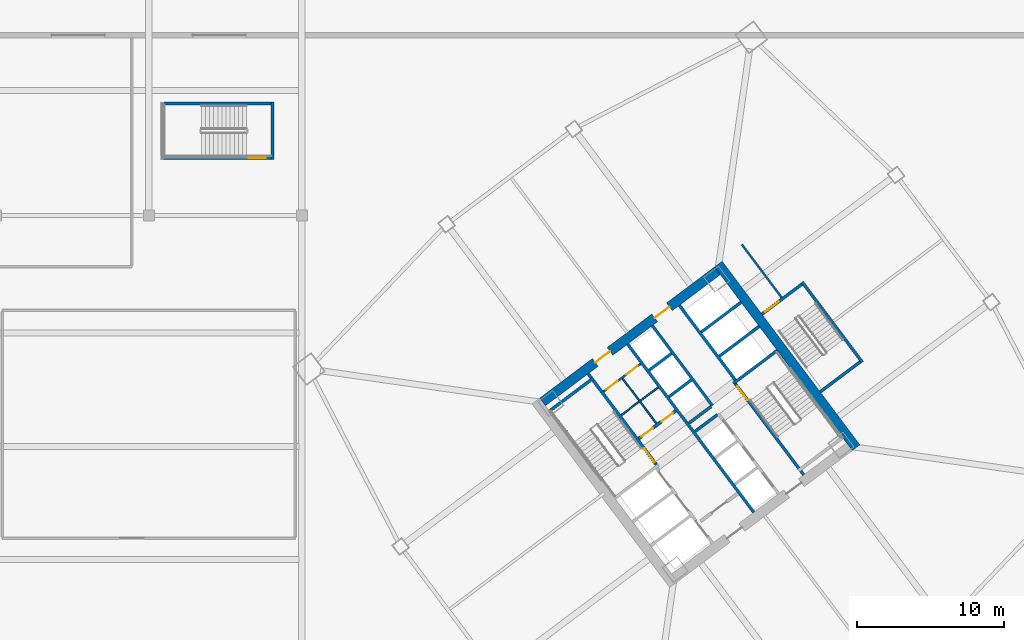
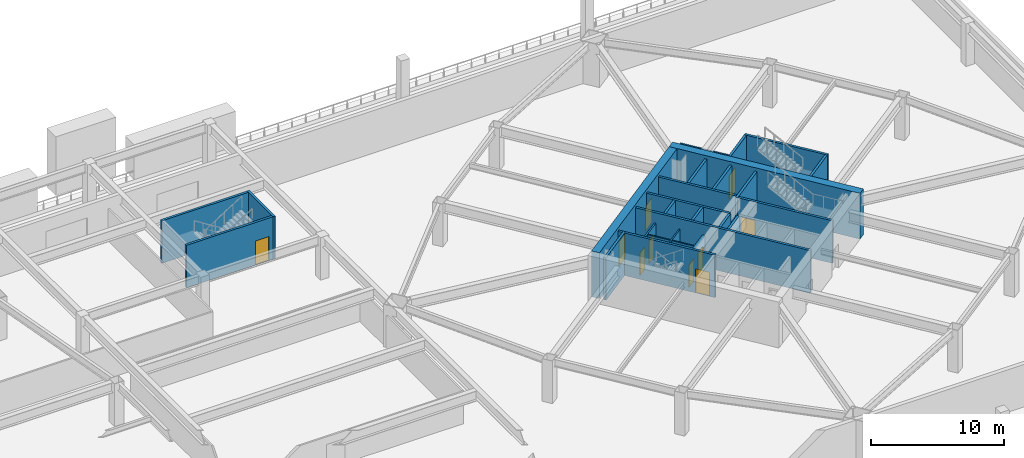
# One storey, part 10 of 20: 26 walls, 10 doors, 10 openings.
"""IFC4 building model written with IfcOpenShell, lengths in metres."""

from ifc_helpers import new_model, si_unit, direction, frame, frame_2d, origin, place, context, subcontext, project, spatial, rectangle, extrude, material, layer, layer_set, type_object, element, fill, save


model = new_model("IFC4")

# Units and contexts
model_context = context("Model", 3, precision=1e-05, world=origin(), true_north=direction((0.0, 1.0)))
body_context = subcontext(model_context, "Body", "Model", "MODEL_VIEW")
ifc_project = project(units=[si_unit("LENGTHUNIT", "METRE"), si_unit("AREAUNIT", "SQUARE_METRE"), si_unit("VOLUMEUNIT", "CUBIC_METRE"), si_unit("PLANEANGLEUNIT", "RADIAN"), si_unit("MASSUNIT", "GRAM", prefix="KILO")], contexts=[model_context])

# Site, building, storey
site_placement = place(None, origin())
site = spatial("IfcSite", under=ifc_project, at=site_placement, CompositionType="ELEMENT")
building_placement = place(site_placement, origin())
building = spatial("IfcBuilding", under=site, at=building_placement, Name="Tashvorn Skyway Center", CompositionType="ELEMENT")
storey_placement = place(building_placement, frame((0.0, 0.0, 15.60009765625)))
storey = spatial("IfcBuildingStorey", under=building, at=storey_placement, Name="L03", CompositionType="ELEMENT", Elevation=15.60009765625)

# Wall
ifc_material_1 = material(Name="Concrete C60/75", Category="concrete")
ifc_layer_1 = layer(ifc_material_1, 0.64990234375)
ifc_layer_set_1 = layer_set([ifc_layer_1], Name="Concrete C60/75")
wall_type_1 = type_object("IfcWallType", Name="WALL-CORE-650", PredefinedType="SHEAR", material=ifc_layer_set_1)
wall_1_placement = place(storey_placement, frame((115.52392578125, 42.89306640625, 0.0), z_axis=(0.0, 0.0, 1.0), x_axis=(0.600005007985, -0.799996243986, 0.0)))
element("IfcWall", 1, at=wall_1_placement, inside=storey, type_object=wall_type_1, Name="Tower 2 L03 East Core Shear Wall", PredefinedType="SHEAR", context=body_context, shape_type="SweptSolid", body=[
    extrude(rectangle(XDim=15.60009765625, YDim=0.64990234375, at=frame_2d((7.800048828125, 0.0))), origin(), (0.0, 0.0, 1.0), 4.199951171875),
])

# Wall, openings, doors
wall_2_placement = place(storey_placement, frame((103.571044921875, 33.52197265625, 0.0), z_axis=(0.0, 0.0, 1.0), x_axis=(0.799998028465, 0.600002628705, 0.0)))
wall_2 = element("IfcWall", 2, at=wall_2_placement, inside=storey, type_object=wall_type_1, Name="Tower 2 L03 North Core Shear Wall", PredefinedType="SHEAR", context=body_context, shape_type="SweptSolid", body=[
    extrude(rectangle(XDim=14.85986328125, YDim=0.64990234375, at=frame_2d((7.429931640625, 0.0))), origin(), (0.0, 0.0, 1.0), 4.199951171875),
])
opening_1_placement = place(wall_2_placement, frame((4.47998046875, 0.0, 0.0)))
opening_1 = element("IfcOpeningElement", 3, at=opening_1_placement, cuts=wall_2, Name="Opening D-FFL-1250", PredefinedType="OPENING", context=body_context, shape_type="SweptSolid", body=[
    extrude(rectangle(XDim=1.25, YDim=2.25, at=frame_2d((0.625, 1.125))), frame((0.0, 0.3349609375, 0.0), z_axis=(0.0, -1.0, 0.0), x_axis=(1.0, 0.0, 0.0)), (0.0, 0.0, 1.0), 0.669921875),
])
opening_2_placement = place(wall_2_placement, frame((9.530029296875, 0.0, 0.0)))
opening_2 = element("IfcOpeningElement", 4, at=opening_2_placement, cuts=wall_2, Name="Opening D-FFL-1250", PredefinedType="OPENING", context=body_context, shape_type="SweptSolid", body=[
    extrude(rectangle(XDim=1.25, YDim=2.25, at=frame_2d((0.625, 1.125))), frame((0.0, 0.3349609375, 0.0), z_axis=(0.0, -1.0, 0.0), x_axis=(1.0, 0.0, 0.0)), (0.0, 0.0, 1.0), 0.669921875),
])
ifc_material_2 = material(Name="Hollow galvanized steel fire door assembly", Category="steel")
door_type_1 = type_object("IfcDoorType", Name="DOOR-FFL-1250", OperationType="NOTDEFINED", PredefinedType="DOOR", material=ifc_material_2)
door_1_placement = place(opening_1_placement, origin())
door_1 = element("IfcDoor", 5, at=door_1_placement, inside=storey, type_object=door_type_1, Name="Tower 2 L03 Core North Service Lobby Door", OperationType="SINGLE_SWING_LEFT", OverallHeight=2.25, OverallWidth=1.25, PredefinedType="DOOR", context=body_context, shape_type="SweptSolid", body=[
    extrude(rectangle(XDim=1.25, YDim=2.25, at=frame_2d((0.625, 1.125))), frame((0.0, 0.02490234375, 0.0), z_axis=(0.0, -1.0, 0.0), x_axis=(1.0, 0.0, 0.0)), (0.0, 0.0, 1.0), 0.050048828125),
])
fill(opening_1, door_1)
door_2_placement = place(opening_2_placement, origin())
door_2 = element("IfcDoor", 6, at=door_2_placement, inside=storey, type_object=door_type_1, Name="Tower 2 L03 Core North Lift Lobby Door", OperationType="SINGLE_SWING_RIGHT", OverallHeight=2.25, OverallWidth=1.25, PredefinedType="DOOR", context=body_context, shape_type="SweptSolid", body=[
    extrude(rectangle(XDim=1.25, YDim=2.25, at=frame_2d((0.625, 1.125))), frame((0.0, 0.02490234375, 0.0), z_axis=(0.0, -1.0, 0.0), x_axis=(1.0, 0.0, 0.0)), (0.0, 0.0, 1.0), 0.050048828125),
])
fill(opening_2, door_2)

ifc_material_3 = material(Name="Concrete C40/50", Category="concrete")
ifc_layer_2 = layer(ifc_material_3, 0.219970703125)
ifc_layer_set_2 = layer_set([ifc_layer_2], Name="Concrete C40/50")
wall_type_2 = type_object("IfcWallType", Name="WALL-FFL-220", PredefinedType="SOLIDWALL", material=ifc_layer_set_2)
wall_3_placement = place(storey_placement, frame((110.10400390625, 31.028076171875, 0.0), z_axis=(0.0, 0.0, 1.0), x_axis=(0.800018601094, 0.59997519774, 0.0)))
wall_3 = element("IfcWall", 7, at=wall_3_placement, inside=storey, type_object=wall_type_2, Name="Tower 2 L03 Firefighting Lobby North Wall", PredefinedType="SOLIDWALL", context=body_context, shape_type="SweptSolid", body=[
    extrude(rectangle(XDim=3.14990234375, YDim=0.219970703125, at=frame_2d((1.574951171875, 0.0))), origin(), (0.0, 0.0, 1.0), 2.94287109375),
])
opening_3_placement = place(wall_3_placement, frame((0.25, 0.0, 0.0)))
opening_3 = element("IfcOpeningElement", 8, at=opening_3_placement, cuts=wall_3, Name="Opening D-RT-950", PredefinedType="OPENING", context=body_context, shape_type="SweptSolid", body=[
    extrude(rectangle(XDim=0.949951171875, YDim=2.050048828125, at=frame_2d((0.47509765625, 1.02490234375))), frame((0.0, 0.119873046875, 0.0), z_axis=(0.0, -1.0, 0.0), x_axis=(1.0, 0.0, 0.0)), (0.0, 0.0, 1.0), 0.239990234375),
])
opening_4_placement = place(wall_3_placement, frame((1.949951171875, 0.0, 0.0)))
opening_4 = element("IfcOpeningElement", 9, at=opening_4_placement, cuts=wall_3, Name="Opening D-RT-950", PredefinedType="OPENING", context=body_context, shape_type="SweptSolid", body=[
    extrude(rectangle(XDim=0.949951171875, YDim=2.050048828125, at=frame_2d((0.47509765625, 1.02490234375))), frame((0.0, 0.119873046875, 0.0), z_axis=(0.0, -1.0, 0.0), x_axis=(1.0, 0.0, 0.0)), (0.0, 0.0, 1.0), 0.239990234375),
])
door_type_2 = type_object("IfcDoorType", Name="DOOR-RATED-950", OperationType="NOTDEFINED", PredefinedType="DOOR", material=ifc_material_2)
door_3_placement = place(opening_3_placement, origin())
door_3 = element("IfcDoor", 10, at=door_3_placement, inside=storey, type_object=door_type_2, Name="Tower 2 L03 Core Mail Room Door", OperationType="SINGLE_SWING_LEFT", OverallHeight=2.050048828125, OverallWidth=0.949951171875, PredefinedType="DOOR", context=body_context, shape_type="SweptSolid", body=[
    extrude(rectangle(XDim=0.949951171875, YDim=2.050048828125, at=frame_2d((0.47509765625, 1.02490234375))), frame((0.0, 0.02490234375, 0.0), z_axis=(0.0, -1.0, 0.0), x_axis=(1.0, 0.0, 0.0)), (0.0, 0.0, 1.0), 0.050048828125),
])
fill(opening_3, door_3)
door_4_placement = place(opening_4_placement, origin())
door_4 = element("IfcDoor", 11, at=door_4_placement, inside=storey, type_object=door_type_2, Name="Tower 2 L03 Core Supply Closet Door", OperationType="SINGLE_SWING_RIGHT", OverallHeight=2.050048828125, OverallWidth=0.949951171875, PredefinedType="DOOR", context=body_context, shape_type="SweptSolid", body=[
    extrude(rectangle(XDim=0.949951171875, YDim=2.050048828125, at=frame_2d((0.47509765625, 1.02490234375))), frame((0.0, 0.02490234375, 0.0), z_axis=(0.0, -1.0, 0.0), x_axis=(1.0, 0.0, 0.0)), (0.0, 0.0, 1.0), 0.050048828125),
])
fill(opening_4, door_4)

# Walls
ifc_material_4 = material(Name="Gypsum board on cold-formed steel stud framing", Category="steel")
ifc_layer_3 = layer(ifc_material_4, 0.135009765625)
ifc_layer_set_3 = layer_set([ifc_layer_3], Name="Gypsum board on cold-formed steel stud framing")
wall_type_3 = type_object("IfcWallType", Name="WALL-PART-135", PredefinedType="PARTITIONING", material=ifc_layer_set_3)
wall_4_placement = place(storey_placement, frame((119.823974609375, 40.617919921875, 0.0), z_axis=(0.0, 0.0, 1.0), x_axis=(-0.59999135767, 0.800006481675, 0.0)))
element("IfcWall", 12, at=wall_4_placement, inside=storey, type_object=wall_type_3, Name="Tower 2 L03 Stair 3 Access Corridor Wall", PredefinedType="PARTITIONING", context=body_context, shape_type="SweptSolid", body=[
    extrude(rectangle(XDim=4.52001953125, YDim=0.135009765625, at=frame_2d((2.260009765625, 0.0))), origin(), (0.0, 0.0, 1.0), 2.94287109375),
])
ifc_layer_4 = layer(ifc_material_4, 0.110107421875)
ifc_layer_set_4 = layer_set([ifc_layer_4], Name="Gypsum board on cold-formed steel stud framing")
wall_type_4 = type_object("IfcWallType", Name="WALL-RATED-110", PredefinedType="PARTITIONING", material=ifc_layer_set_4)
wall_5_placement = place(storey_placement, frame((111.2958984375, 32.072021484375, 0.0), z_axis=(0.0, 0.0, 1.0), x_axis=(-0.59995887973, 0.800030838552, 0.0)))
element("IfcWall", 13, at=wall_5_placement, inside=storey, type_object=wall_type_4, Name="Tower 2 L03 Core Cross Vertical", PredefinedType="PARTITIONING", context=body_context, shape_type="SweptSolid", body=[
    extrude(rectangle(XDim=3.7998046875, YDim=0.110107421875, at=frame_2d((1.89990234375, 0.0))), origin(), (0.0, 0.0, 1.0), 2.94287109375),
])
wall_6_placement = place(storey_placement, frame((108.909912109375, 32.6201171875, 0.0), z_axis=(0.0, 0.0, 1.0), x_axis=(0.800018601094, 0.59997519774, 0.0)))
element("IfcWall", 14, at=wall_6_placement, inside=storey, type_object=wall_type_4, Name="Tower 2 L03 Core Cross Horizontal", PredefinedType="PARTITIONING", context=body_context, shape_type="SweptSolid", body=[
    extrude(rectangle(XDim=3.14990234375, YDim=0.110107421875, at=frame_2d((1.574951171875, 0.0))), origin(), (0.0, 0.0, 1.0), 2.94287109375),
])

# Wall, openings, doors
ifc_layer_5 = layer(ifc_material_4, 0.135009765625)
ifc_layer_set_5 = layer_set([ifc_layer_5], Name="Gypsum board on cold-formed steel stud framing")
wall_type_5 = type_object("IfcWallType", Name="WALL-RATED-135", PredefinedType="PARTITIONING", material=ifc_layer_set_5)
wall_7_placement = place(storey_placement, frame((107.7099609375, 34.219970703125, 0.0), z_axis=(0.0, 0.0, 1.0), x_axis=(0.799981399002, 0.60002480053, 0.0)))
wall_7 = element("IfcWall", 15, at=wall_7_placement, inside=storey, type_object=wall_type_5, Name="Tower 2 L03 Core Service Lobby Wall", PredefinedType="PARTITIONING", context=body_context, shape_type="SweptSolid", body=[
    extrude(rectangle(XDim=3.150146484375, YDim=0.135009765625, at=frame_2d((1.5751953125, 0.0))), origin(), (0.0, 0.0, 1.0), 2.94287109375),
])
opening_5_placement = place(wall_7_placement, frame((0.25, 0.0, 0.0)))
opening_5 = element("IfcOpeningElement", 16, at=opening_5_placement, cuts=wall_7, Name="Opening D-RT-950", PredefinedType="OPENING", context=body_context, shape_type="SweptSolid", body=[
    extrude(rectangle(XDim=0.949951171875, YDim=2.050048828125, at=frame_2d((0.47509765625, 1.02490234375))), frame((0.0, 0.077392578125, 0.0), z_axis=(0.0, -1.0, 0.0), x_axis=(1.0, 0.0, 0.0)), (0.0, 0.0, 1.0), 0.155029296875),
])
opening_6_placement = place(wall_7_placement, frame((1.949951171875, 0.0, 0.0)))
opening_6 = element("IfcOpeningElement", 17, at=opening_6_placement, cuts=wall_7, Name="Opening D-RT-950", PredefinedType="OPENING", context=body_context, shape_type="SweptSolid", body=[
    extrude(rectangle(XDim=0.949951171875, YDim=2.050048828125, at=frame_2d((0.47509765625, 1.02490234375))), frame((0.0, 0.077392578125, 0.0), z_axis=(0.0, -1.0, 0.0), x_axis=(1.0, 0.0, 0.0)), (0.0, 0.0, 1.0), 0.155029296875),
])
door_5_placement = place(opening_5_placement, origin())
door_5 = element("IfcDoor", 18, at=door_5_placement, inside=storey, type_object=door_type_2, Name="Tower 2 L03 Core Cleaner Store Door", OperationType="SINGLE_SWING_LEFT", OverallHeight=2.050048828125, OverallWidth=0.949951171875, PredefinedType="DOOR", context=body_context, shape_type="SweptSolid", body=[
    extrude(rectangle(XDim=0.949951171875, YDim=2.050048828125, at=frame_2d((0.47509765625, 1.02490234375))), frame((0.0, 0.02490234375, 0.0), z_axis=(0.0, -1.0, 0.0), x_axis=(1.0, 0.0, 0.0)), (0.0, 0.0, 1.0), 0.050048828125),
])
fill(opening_5, door_5)
door_6_placement = place(opening_6_placement, origin())
door_6 = element("IfcDoor", 19, at=door_6_placement, inside=storey, type_object=door_type_2, Name="Tower 2 L03 Core Accessible WC Door", OperationType="SINGLE_SWING_RIGHT", OverallHeight=2.050048828125, OverallWidth=0.949951171875, PredefinedType="DOOR", context=body_context, shape_type="SweptSolid", body=[
    extrude(rectangle(XDim=0.949951171875, YDim=2.050048828125, at=frame_2d((0.47509765625, 1.02490234375))), frame((0.0, 0.02490234375, 0.0), z_axis=(0.0, -1.0, 0.0), x_axis=(1.0, 0.0, 0.0)), (0.0, 0.0, 1.0), 0.050048828125),
])
fill(opening_6, door_6)

# Walls
ifc_layer_6 = layer(ifc_material_3, 0.199951171875)
ifc_layer_set_6 = layer_set([ifc_layer_6], Name="Concrete C40/50")
wall_type_6 = type_object("IfcWallType", Name="WALL-SHAFT-200", PredefinedType="SOLIDWALL", material=ifc_layer_set_6)
for number, where, z_axis, x_axis, name in (
    (20, (115.590087890625, 36.6298828125, 0.0), (0.0, 0.0, 1.0), (0.799973995579, 0.600034670996, 0.0), "Tower 2 L03 High-Rise Shaft Divider"),
    (21, (114.360107421875, 38.27001953125, 0.0), (0.0, 0.0, 1.0), (0.799973995579, 0.600034670996, 0.0), "Tower 2 L03 High-Rise Shaft Divider"),
):
    element("IfcWall", number, at=place(storey_placement, frame(where, z_axis=z_axis, x_axis=x_axis)), inside=storey, type_object=wall_type_6, Name=name, PredefinedType="SOLIDWALL", context=body_context, shape_type="SweptSolid", body=[
        extrude(rectangle(XDim=3.3798828125, YDim=0.199951171875, at=frame_2d((1.68994140625, 0.0))), origin(), (0.0, 0.0, 1.0), 3.89990234375),
    ])
wall_8_placement = place(storey_placement, frame((113.946044921875, 31.52197265625, 0.0), z_axis=(0.0, 0.0, 1.0), x_axis=(0.8, 0.6, 0.0)))
element("IfcWall", 22, at=wall_8_placement, inside=storey, type_object=wall_type_6, Name="Tower 2 L03 Low-Rise Shaft Divider", PredefinedType="SOLIDWALL", context=body_context, shape_type="SweptSolid", body=[
    extrude(rectangle(XDim=1.8798828125, YDim=0.199951171875, at=frame_2d((0.93994140625, 0.0))), origin(), (0.0, 0.0, 1.0), 3.89990234375),
])
wall_9_placement = place(storey_placement, frame((115.110107421875, 33.27001953125, 0.0), z_axis=(0.0, 0.0, 1.0), x_axis=(-0.600011488909, 0.79999138319, 0.0)))
element("IfcWall", 23, at=wall_9_placement, inside=storey, type_object=wall_type_6, Name="Tower 2 L03 Mid-Rise Core Wall", PredefinedType="SOLIDWALL", context=body_context, shape_type="SweptSolid", body=[
    extrude(rectangle(XDim=6.800048828125, YDim=0.199951171875, at=frame_2d((3.39990234375, 0.0))), origin(), (0.0, 0.0, 1.0), 3.89990234375),
])
wall_10_placement = place(storey_placement, frame((113.52587890625, 32.08203125, 0.0), z_axis=(0.0, 0.0, 1.0), x_axis=(0.800046745961, 0.599937666993, 0.0)))
element("IfcWall", 24, at=wall_10_placement, inside=storey, type_object=wall_type_6, Name="Tower 2 L03 Mid-Rise Shaft Divider", PredefinedType="SOLIDWALL", context=body_context, shape_type="SweptSolid", body=[
    extrude(rectangle(XDim=1.880126953125, YDim=0.199951171875, at=frame_2d((0.93994140625, 0.0))), origin(), (0.0, 0.0, 1.0), 3.89990234375),
])
wall_11_placement = place(storey_placement, frame((112.176025390625, 33.882080078125, 0.0), z_axis=(0.0, 0.0, 1.0), x_axis=(0.8, 0.6, 0.0)))
element("IfcWall", 25, at=wall_11_placement, inside=storey, type_object=wall_type_6, Name="Tower 2 L03 Mid-Rise Shaft Divider", PredefinedType="SOLIDWALL", context=body_context, shape_type="SweptSolid", body=[
    extrude(rectangle(XDim=1.8798828125, YDim=0.199951171875, at=frame_2d((0.93994140625, 0.0))), origin(), (0.0, 0.0, 1.0), 3.89990234375),
])
wall_12_placement = place(storey_placement, frame((110.825927734375, 35.681884765625, 0.0), z_axis=(0.0, 0.0, 1.0), x_axis=(0.799984418148, 0.600020775241, 0.0)))
element("IfcWall", 26, at=wall_12_placement, inside=storey, type_object=wall_type_6, Name="Tower 2 L03 Mid-Rise Shaft Divider", PredefinedType="SOLIDWALL", context=body_context, shape_type="SweptSolid", body=[
    extrude(rectangle(XDim=1.880126953125, YDim=0.199951171875, at=frame_2d((0.93994140625, 0.0))), origin(), (0.0, 0.0, 1.0), 3.89990234375),
])

# Wall, opening, door
ifc_layer_7 = layer(ifc_material_3, 0.199951171875)
ifc_layer_set_7 = layer_set([ifc_layer_7], Name="Concrete C40/50")
wall_type_7 = type_object("IfcWallType", Name="WALL-STSHF-200", PredefinedType="SHEAR", material=ifc_layer_set_7)
wall_13_placement = place(storey_placement, frame((111.43994140625, 29.080078125, 0.0), z_axis=(0.0, 0.0, 1.0), x_axis=(-0.600009827119, 0.799992629566, 0.0)))
wall_13 = element("IfcWall", 27, at=wall_13_placement, inside=storey, type_object=wall_type_7, Name="Tower 2 L03 Stair 1 Enclosure Wall", PredefinedType="SHEAR", context=body_context, shape_type="SweptSolid", body=[
    extrude(rectangle(XDim=7.949951171875, YDim=0.199951171875, at=frame_2d((3.97509765625, 0.0))), origin(), (0.0, 0.0, 1.0), 3.89990234375),
])
opening_7_placement = place(wall_13_placement, frame((0.449951171875, 0.0, 0.0)))
opening_7 = element("IfcOpeningElement", 28, at=opening_7_placement, cuts=wall_13, Name="Opening D-ST-1150", PredefinedType="OPENING", context=body_context, shape_type="SweptSolid", body=[
    extrude(rectangle(XDim=1.14990234375, YDim=2.199951171875, at=frame_2d((0.574951171875, 1.10009765625))), frame((0.0, 0.10986328125, 0.0), z_axis=(0.0, -1.0, 0.0), x_axis=(1.0, 0.0, 0.0)), (0.0, 0.0, 1.0), 0.219970703125),
])
door_type_3 = type_object("IfcDoorType", Name="DOOR-STAIR-1150", OperationType="NOTDEFINED", PredefinedType="DOOR", material=ifc_material_2)
door_7_placement = place(opening_7_placement, origin())
door_7 = element("IfcDoor", 29, at=door_7_placement, inside=storey, type_object=door_type_3, Name="Tower 2 L03 Exit Stair 1 Door", OperationType="SINGLE_SWING_RIGHT", OverallHeight=2.199951171875, OverallWidth=1.14990234375, PredefinedType="DOOR", context=body_context, shape_type="SweptSolid", body=[
    extrude(rectangle(XDim=1.14990234375, YDim=2.199951171875, at=frame_2d((0.574951171875, 1.10009765625))), frame((0.0, 0.02490234375, 0.0), z_axis=(0.0, -1.0, 0.0), x_axis=(1.0, 0.0, 0.0)), (0.0, 0.0, 1.0), 0.050048828125),
])
fill(opening_7, door_7)

# Wall
wall_14_placement = place(storey_placement, frame((104.035888671875, 32.902099609375, 0.0), z_axis=(0.0, 0.0, 1.0), x_axis=(0.800039270442, 0.59994763584, 0.0)))
element("IfcWall", 30, at=wall_14_placement, inside=storey, type_object=wall_type_7, Name="Tower 2 L03 Stair 1 North Wall", PredefinedType="SHEAR", context=body_context, shape_type="SweptSolid", body=[
    extrude(rectangle(XDim=3.72998046875, YDim=0.199951171875, at=frame_2d((1.864990234375, 0.0))), origin(), (0.0, 0.0, 1.0), 3.89990234375),
])

# Wall, opening, door
wall_15_placement = place(storey_placement, frame((116.56005859375, 34.919921875, 0.0), z_axis=(0.0, 0.0, 1.0), x_axis=(0.600009827119, -0.799992629566, 0.0)))
wall_15 = element("IfcWall", 31, at=wall_15_placement, inside=storey, type_object=wall_type_7, Name="Tower 2 L03 Stair 2 Enclosure Wall", PredefinedType="SHEAR", context=body_context, shape_type="SweptSolid", body=[
    extrude(rectangle(XDim=7.949951171875, YDim=0.199951171875, at=frame_2d((3.97509765625, 0.0))), origin(), (0.0, 0.0, 1.0), 3.89990234375),
])
opening_8_placement = place(wall_15_placement, frame((0.449951171875, 0.0, 0.0)))
opening_8 = element("IfcOpeningElement", 32, at=opening_8_placement, cuts=wall_15, Name="Opening D-ST-1150", PredefinedType="OPENING", context=body_context, shape_type="SweptSolid", body=[
    extrude(rectangle(XDim=1.14990234375, YDim=2.199951171875, at=frame_2d((0.574951171875, 1.10009765625))), frame((0.0, 0.10986328125, 0.0), z_axis=(0.0, -1.0, 0.0), x_axis=(1.0, 0.0, 0.0)), (0.0, 0.0, 1.0), 0.219970703125),
])
door_8_placement = place(opening_8_placement, origin())
door_8 = element("IfcDoor", 33, at=door_8_placement, inside=storey, type_object=door_type_3, Name="Tower 2 L03 Exit Stair 2 Door", OperationType="SINGLE_SWING_RIGHT", OverallHeight=2.199951171875, OverallWidth=1.14990234375, PredefinedType="DOOR", context=body_context, shape_type="SweptSolid", body=[
    extrude(rectangle(XDim=1.14990234375, YDim=2.199951171875, at=frame_2d((0.574951171875, 1.10009765625))), frame((0.0, 0.02490234375, 0.0), z_axis=(0.0, -1.0, 0.0), x_axis=(1.0, 0.0, 0.0)), (0.0, 0.0, 1.0), 0.050048828125),
])
fill(opening_8, door_8)

# Walls
wall_16_placement = place(storey_placement, frame((116.5400390625, 34.780029296875, 0.0), z_axis=(0.0, 0.0, 1.0), x_axis=(0.799984290658, 0.600020945218, 0.0)))
element("IfcWall", 34, at=wall_16_placement, inside=storey, type_object=wall_type_7, Name="Tower 2 L03 Stair 2 North Wall", PredefinedType="SHEAR", context=body_context, shape_type="SweptSolid", body=[
    extrude(rectangle(XDim=3.72998046875, YDim=0.199951171875, at=frame_2d((1.864990234375, 0.0))), origin(), (0.0, 0.0, 1.0), 3.89990234375),
])
wall_17_placement = place(storey_placement, frame((117.93798828125, 26.01611328125, 0.0), z_axis=(0.0, 0.0, 1.0), x_axis=(-0.600005463273, 0.799995902516, 0.0)))
element("IfcWall", 35, at=wall_17_placement, inside=storey, type_object=wall_type_7, Name="Tower 2 L03 Firefighting Lobby East Smoke Barrier", PredefinedType="SHEAR", context=body_context, shape_type="SweptSolid", body=[
    extrude(rectangle(XDim=14.300048828125, YDim=0.199951171875, at=frame_2d((7.14990234375, 0.0))), origin(), (0.0, 0.0, 1.0), 3.89990234375),
])
wall_18_placement = place(storey_placement, frame((112.8701171875, 40.090087890625, 0.0), z_axis=(0.0, 0.0, 1.0), x_axis=(0.599975393228, -0.800018454488, 0.0)))
element("IfcWall", 36, at=wall_18_placement, inside=storey, type_object=wall_type_7, Name="Tower 2 L03 High-Rise Lift Shaft Front Wall", PredefinedType="SHEAR", context=body_context, shape_type="SweptSolid", body=[
    extrude(rectangle(XDim=6.349853515625, YDim=0.199951171875, at=frame_2d((3.1748046875, 0.0))), origin(), (0.0, 0.0, 1.0), 3.89990234375),
])
wall_19_placement = place(storey_placement, frame((125.303955078125, 36.22802734375, 0.0), z_axis=(0.0, 0.0, 1.0), x_axis=(-0.59998851072, 0.800008616831, 0.0)))
element("IfcWall", 37, at=wall_19_placement, inside=storey, type_object=wall_type_7, Name="Tower 2 L03 Stair 3 Outer Wall", PredefinedType="SHEAR", context=body_context, shape_type="SweptSolid", body=[
    extrude(rectangle(XDim=6.7998046875, YDim=0.199951171875, at=frame_2d((3.39990234375, 0.0))), origin(), (0.0, 0.0, 1.0), 3.89990234375),
])

# Wall, opening, door
wall_20_placement = place(storey_placement, frame((121.2041015625, 41.528076171875, 0.0), z_axis=(0.0, 0.0, 1.0), x_axis=(-0.800017232136, -0.599977023131, 0.0)))
wall_20 = element("IfcWall", 38, at=wall_20_placement, inside=storey, type_object=wall_type_7, Name="Tower 2 L03 Stair 3 Enclosure Wall", PredefinedType="SHEAR", context=body_context, shape_type="SweptSolid", body=[
    extrude(rectangle(XDim=3.400146484375, YDim=0.199951171875, at=frame_2d((1.7001953125, 0.0))), origin(), (0.0, 0.0, 1.0), 3.89990234375),
])
opening_9_placement = place(wall_20_placement, frame((1.97509765625, 0.0, 0.0)))
opening_9 = element("IfcOpeningElement", 39, at=opening_9_placement, cuts=wall_20, Name="Opening D-ST-1150", PredefinedType="OPENING", context=body_context, shape_type="SweptSolid", body=[
    extrude(rectangle(XDim=1.14990234375, YDim=2.199951171875, at=frame_2d((0.574951171875, 1.10009765625))), frame((0.0, 0.10986328125, 0.0), z_axis=(0.0, -1.0, 0.0), x_axis=(1.0, 0.0, 0.0)), (0.0, 0.0, 1.0), 0.219970703125),
])
door_9_placement = place(opening_9_placement, origin())
door_9 = element("IfcDoor", 40, at=door_9_placement, inside=storey, type_object=door_type_3, Name="Tower 2 L03 Exit Stair 3 Door", OperationType="SINGLE_SWING_RIGHT", OverallHeight=2.199951171875, OverallWidth=1.14990234375, PredefinedType="DOOR", context=body_context, shape_type="SweptSolid", body=[
    extrude(rectangle(XDim=1.14990234375, YDim=2.199951171875, at=frame_2d((0.574951171875, 1.10009765625))), frame((0.0, 0.02490234375, 0.0), z_axis=(0.0, -1.0, 0.0), x_axis=(1.0, 0.0, 0.0)), (0.0, 0.0, 1.0), 0.050048828125),
])
fill(opening_9, door_9)

# Wall
wall_21_placement = place(storey_placement, frame((122.444091796875, 34.2080078125, 0.0), z_axis=(0.0, 0.0, 1.0), x_axis=(0.79999138319, 0.600011488909, 0.0)))
element("IfcWall", 41, at=wall_21_placement, inside=storey, type_object=wall_type_7, Name="Tower 2 L03 Stair 3 South Wall", PredefinedType="SHEAR", context=body_context, shape_type="SweptSolid", body=[
    extrude(rectangle(XDim=3.39990234375, YDim=0.199951171875, at=frame_2d((1.699951171875, 0.0))), origin(), (0.0, 0.0, 1.0), 3.89990234375),
])

# Wall, opening, door
wall_22_placement = place(storey_placement, frame((77.60009765625, 50.10009765625, 0.0), z_axis=(0.0, 0.0, 1.0), x_axis=(1.0, 0.0, 0.0)))
wall_22 = element("IfcWall", 42, at=wall_22_placement, inside=storey, type_object=wall_type_7, Name="L03 Podium Stair 2 South Wall", PredefinedType="SHEAR", context=body_context, shape_type="SweptSolid", body=[
    extrude(rectangle(XDim=7.699951171875, YDim=0.199951171875, at=frame_2d((3.85009765625, 0.0))), origin(), (0.0, 0.0, 1.0), 3.89990234375),
])
opening_10_placement = place(wall_22_placement, frame((6.0, 0.0, 0.0)))
opening_10 = element("IfcOpeningElement", 43, at=opening_10_placement, cuts=wall_22, Name="Opening D-ST-1150", PredefinedType="OPENING", context=body_context, shape_type="SweptSolid", body=[
    extrude(rectangle(XDim=1.14990234375, YDim=2.199951171875, at=frame_2d((0.574951171875, 1.10009765625))), frame((0.0, 0.10986328125, 0.0), z_axis=(0.0, -1.0, 0.0), x_axis=(1.0, 0.0, 0.0)), (0.0, 0.0, 1.0), 0.219970703125),
])
door_10_placement = place(opening_10_placement, origin())
door_10 = element("IfcDoor", 44, at=door_10_placement, inside=storey, type_object=door_type_3, Name="L03 Podium Stair 2 Door", OperationType="SINGLE_SWING_RIGHT", OverallHeight=2.199951171875, OverallWidth=1.14990234375, PredefinedType="DOOR", context=body_context, shape_type="SweptSolid", body=[
    extrude(rectangle(XDim=1.14990234375, YDim=2.199951171875, at=frame_2d((0.574951171875, 1.10009765625))), frame((0.0, 0.02490234375, 0.0), z_axis=(0.0, -1.0, 0.0), x_axis=(1.0, 0.0, 0.0)), (0.0, 0.0, 1.0), 0.050048828125),
])
fill(opening_10, door_10)

# Walls
wall_23_placement = place(storey_placement, frame((77.60009765625, 53.800048828125, 0.0), z_axis=(0.0, 0.0, 1.0), x_axis=(1.0, 0.0, 0.0)))
element("IfcWall", 45, at=wall_23_placement, inside=storey, type_object=wall_type_7, Name="L03 Podium Stair 2 North Wall", PredefinedType="SHEAR", context=body_context, shape_type="SweptSolid", body=[
    extrude(rectangle(XDim=7.699951171875, YDim=0.199951171875, at=frame_2d((3.85009765625, 0.0))), origin(), (0.0, 0.0, 1.0), 3.89990234375),
])
wall_24_placement = place(storey_placement, frame((85.199951171875, 50.0, 0.0), z_axis=(0.0, 0.0, 1.0), x_axis=(0.0, 1.0, 0.0)))
element("IfcWall", 46, at=wall_24_placement, inside=storey, type_object=wall_type_7, Name="L03 Podium Stair 2 East Wall", PredefinedType="SHEAR", context=body_context, shape_type="SweptSolid", body=[
    extrude(rectangle(XDim=3.89990234375, YDim=0.199951171875, at=frame_2d((1.949951171875, 0.0))), origin(), (0.0, 0.0, 1.0), 3.89990234375),
])

save(model, "model.ifc")
